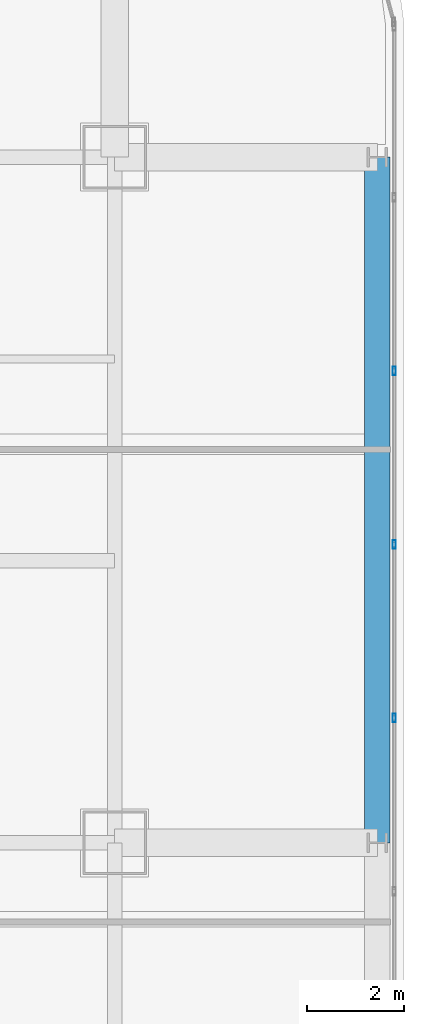
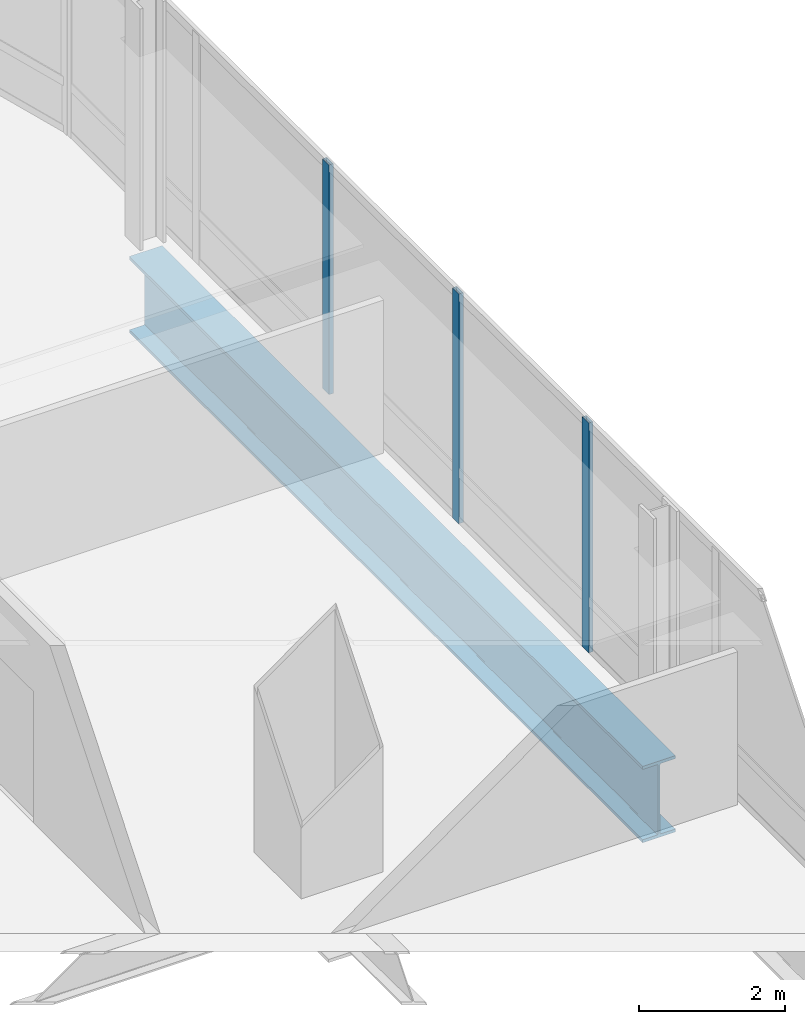
# One storey, part 21 of 40: 3 members, 1 beam, 1 element without a shape of its own.
"""IFC4 building model written with IfcOpenShell, lengths in metres."""

from ifc_helpers import new_model, si_unit, direction, frame, origin, origin_2d, place, context, subcontext, project, spatial, hollow_rectangle, i_section, extrude, material, material_profile, profile_set, type_object, element, aggregate, save


model = new_model("IFC4")

# Units and contexts
model_context = context("Model", 3, precision=1e-05, world=origin(), true_north=direction((0.0, 1.0)))
body_context = subcontext(model_context, "Body", "Model", "MODEL_VIEW")
ifc_project = project(units=[si_unit("LENGTHUNIT", "METRE"), si_unit("AREAUNIT", "SQUARE_METRE"), si_unit("VOLUMEUNIT", "CUBIC_METRE"), si_unit("PLANEANGLEUNIT", "RADIAN"), si_unit("MASSUNIT", "GRAM", prefix="KILO")], contexts=[model_context])

# Site, building, storey
site_placement = place(None, origin())
site = spatial("IfcSite", under=ifc_project, at=site_placement, CompositionType="ELEMENT")
building_placement = place(site_placement, origin())
building = spatial("IfcBuilding", under=site, at=building_placement, Name="Punatoya Terracotta Tower", CompositionType="ELEMENT")
storey_placement = place(building_placement, frame((0.0, 0.0, 271.64990234375)))
storey = spatial("IfcBuildingStorey", under=building, at=storey_placement, Name="L64", CompositionType="ELEMENT", Elevation=271.64990234375)

# Beam
ifc_material_1 = material(Name="Steel S460", Category="steel")
ifc_material_profile_1 = material_profile(ifc_material_1, i_section(OverallWidth=0.52001953125, OverallDepth=1.280029296875, WebThickness=0.031982421875, FlangeThickness=0.050048828125, FilletRadius=0.01806640625, at=origin_2d()))
ifc_profile_set_1 = profile_set([ifc_material_profile_1], Name="Steel S460")
beam_type = type_object("IfcBeamType", Name="BM-TG-NCK", PredefinedType="BEAM", material=ifc_profile_set_1)
beam_placement = place(storey_placement, frame((24.5, 3.39990234375, -0.83984375), z_axis=(0.0, 1.0, 0.0), x_axis=(-1.0, 0.0, 0.0)))
element("IfcBeam", 1, at=beam_placement, inside=storey, type_object=beam_type, Name="BM-L64-PER-E3", PredefinedType="BEAM", context=body_context, shape_type="SweptSolid", body=[
    extrude(i_section(OverallWidth=0.52001953125, OverallDepth=1.280029296875, WebThickness=0.031982421875, FlangeThickness=0.050048828125, FilletRadius=0.01806640625, at=origin_2d()), origin(), (0.0, 0.0, 1.0), 14.10009765625),
])

# Curtain wall, members
ifc_material_2 = material(Name="Aluminium 6063-T6 + Double Low-E Glass", Category="aluminium")
curtain_wall_type = type_object("IfcCurtainWallType", Name="CW-M3", PredefinedType="NOTDEFINED", material=ifc_material_2)
curtain_wall_placement = place(storey_placement, origin())
curtain_wall = element("IfcCurtainWall", 2, at=curtain_wall_placement, inside=storey, type_object=curtain_wall_type, Name="L64 Curtain Wall CW-L64-E05-1", PredefinedType="NOTDEFINED")
ifc_material_3 = material(Name="Aluminium 6063-T6", Category="aluminium")
ifc_material_profile_2 = material_profile(ifc_material_3, hollow_rectangle(XDim=0.070068359375, YDim=0.179931640625, WallThickness=0.00390625, at=origin_2d()))
ifc_profile_set_2 = profile_set([ifc_material_profile_2], Name="Aluminium 6063-T6")
member_type = type_object("IfcMemberType", Name="CW-MUL-M3", PredefinedType="MULLION", material=ifc_profile_set_2)
member_1_placement = place(storey_placement, frame((24.85009765625, 5.96728515625, 0.0), z_axis=(0.0, 0.0, 1.0), x_axis=(1.0, 0.0, 0.0)))
member_1 = element("IfcMember", 3, at=member_1_placement, type_object=member_type, Name="CW-L64-E05-1 Mullion 06", PredefinedType="MULLION", context=body_context, shape_type="SweptSolid", body=[
    extrude(hollow_rectangle(XDim=0.070068359375, YDim=0.179931640625, WallThickness=0.00390625, at=origin_2d()), origin(), (0.0, 0.0, 1.0), 3.85009765625),
])
member_2_placement = place(storey_placement, frame((24.85009765625, 9.534912109375, 0.0), z_axis=(0.0, 0.0, 1.0), x_axis=(1.0, 0.0, 0.0)))
member_2 = element("IfcMember", 4, at=member_2_placement, type_object=member_type, Name="CW-L64-E05-1 Mullion 07", PredefinedType="MULLION", context=body_context, shape_type="SweptSolid", body=[
    extrude(hollow_rectangle(XDim=0.070068359375, YDim=0.179931640625, WallThickness=0.00390625, at=origin_2d()), origin(), (0.0, 0.0, 1.0), 3.85009765625),
])
member_3_placement = place(storey_placement, frame((24.85009765625, 13.10205078125, 0.0), z_axis=(0.0, 0.0, 1.0), x_axis=(1.0, 0.0, 0.0)))
member_3 = element("IfcMember", 5, at=member_3_placement, type_object=member_type, Name="CW-L64-E05-1 Mullion 08", PredefinedType="MULLION", context=body_context, shape_type="SweptSolid", body=[
    extrude(hollow_rectangle(XDim=0.070068359375, YDim=0.179931640625, WallThickness=0.00390625, at=origin_2d()), origin(), (0.0, 0.0, 1.0), 3.85009765625),
])
aggregate(curtain_wall, [member_1, member_2, member_3])

save(model, "model.ifc")
